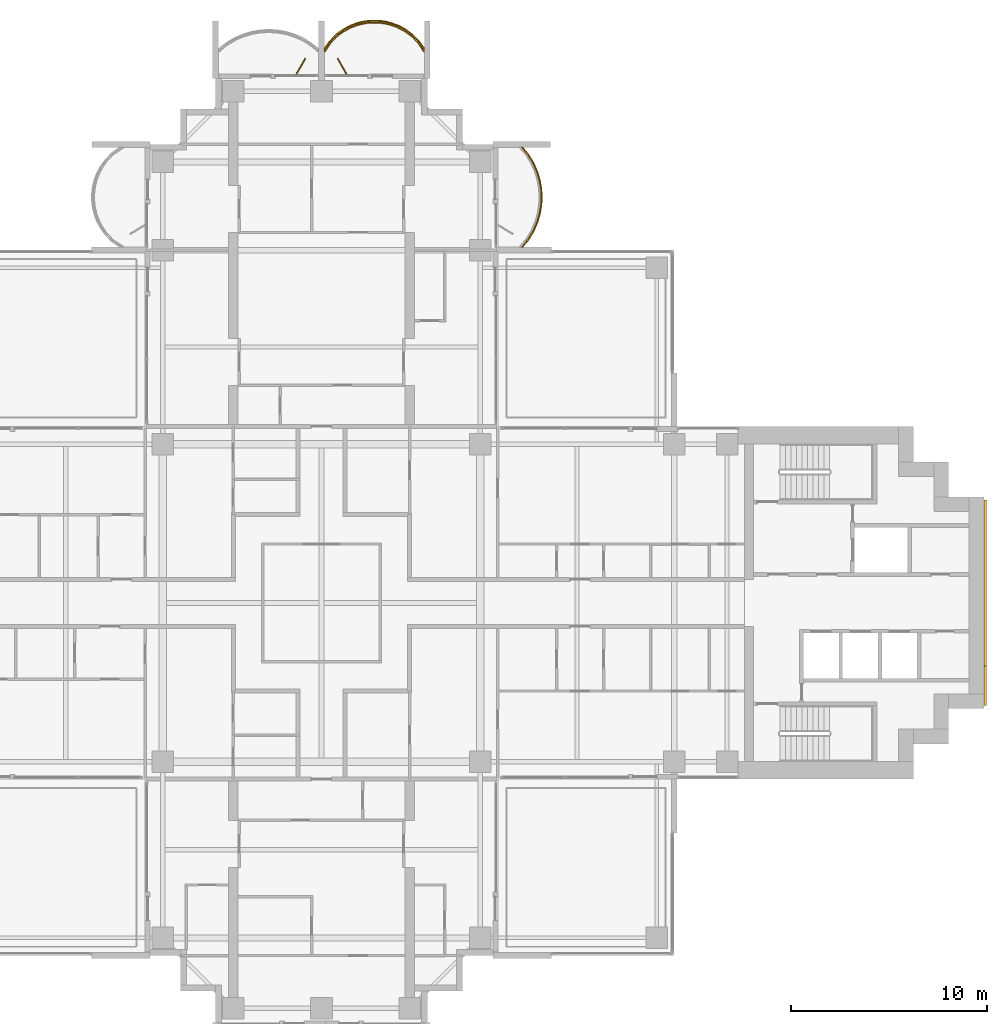
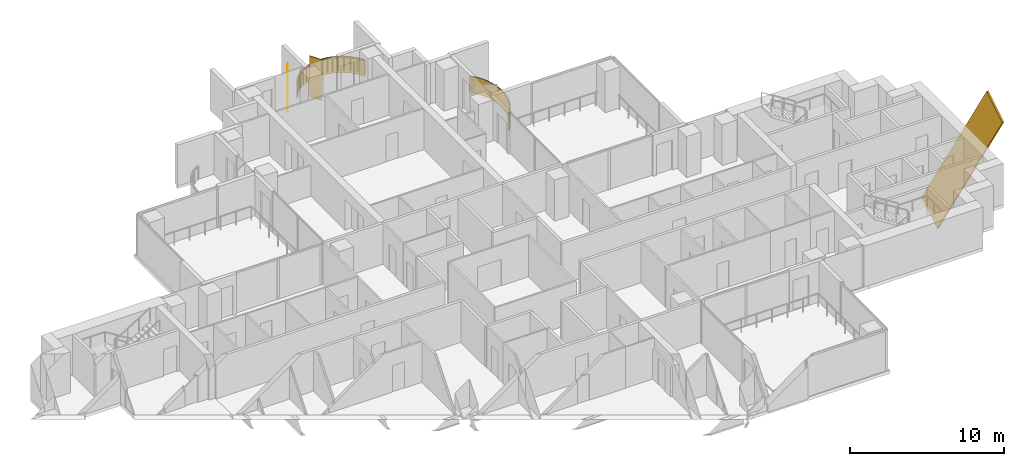
# One storey, part 18 of 18: 3 coverings, 2 shading devices, 1 railing.
"""IFC4 building model written with IfcOpenShell, lengths in metres."""

from ifc_helpers import new_model, si_unit, direction, frame, origin, origin_2d, place, context, subcontext, project, spatial, polyline, rectangle, outline, extrude, material, layer, layer_set, material_profile, profile_set, type_object, element, save


model = new_model("IFC4")

# Units and contexts
model_context = context("Model", 3, precision=1e-05, world=origin(), true_north=direction((0.0, 1.0)))
body_context = subcontext(model_context, "Body", "Model", "MODEL_VIEW")
ifc_project = project(units=[si_unit("LENGTHUNIT", "METRE"), si_unit("AREAUNIT", "SQUARE_METRE"), si_unit("VOLUMEUNIT", "CUBIC_METRE"), si_unit("PLANEANGLEUNIT", "RADIAN"), si_unit("MASSUNIT", "GRAM", prefix="KILO")], contexts=[model_context])

# Site, building, storey
site_placement = place(None, origin())
site = spatial("IfcSite", under=ifc_project, at=site_placement, CompositionType="ELEMENT")
building_placement = place(site_placement, origin())
building = spatial("IfcBuilding", under=site, at=building_placement, Name="Perihelion Cross Residences", CompositionType="ELEMENT")
storey_placement = place(building_placement, frame((0.0, 0.0, 133.89990234375)))
storey = spatial("IfcBuildingStorey", under=building, at=storey_placement, Name="L32", CompositionType="ELEMENT", Elevation=133.89990234375)

# Coverings
ifc_material_1 = material(Name="Bronze anodised aluminium", Category="aluminium")
ifc_layer_1 = layer(ifc_material_1, 0.070068359375)
ifc_layer_set_1 = layer_set([ifc_layer_1], Name="Balcony fascia 1300")
covering_type_1 = type_object("IfcCoveringType", Name="Balcony fascia 1300", PredefinedType="CLADDING", material=ifc_layer_set_1)
covering_1_placement = place(storey_placement, frame((0.0, 0.0, -0.199951171875)))
element("IfcCovering", 1, at=covering_1_placement, inside=storey, type_object=covering_type_1, Name="Fascia BF1 L32 north side east bay 2", PredefinedType="CLADDING", context=body_context, shape_type="SweptSolid", body=[
    extrude(outline(polyline([(10.59765625, 18.53515625), (10.85498046875, 18.96826171875), (11.04248046875, 19.401123046875), (11.170654296875, 19.833984375), (11.245361328125, 20.26708984375), (11.27001953125, 20.699951171875), (11.245361328125, 21.133056640625), (11.170654296875, 21.56591796875), (11.04248046875, 21.998779296875), (10.85498046875, 22.431884765625), (10.59765625, 22.86474609375), (10.28955078125, 23.25), (10.199951171875, 23.25), (10.5400390625, 22.824951171875), (10.792724609375, 22.39990234375), (10.9765625, 21.97509765625), (11.1025390625, 21.550048828125), (11.17578125, 21.125), (11.199951171875, 20.699951171875), (11.17578125, 20.27490234375), (11.1025390625, 19.85009765625), (10.9765625, 19.425048828125), (10.792724609375, 19.0), (10.5400390625, 18.574951171875), (10.199951171875, 18.14990234375), (10.28955078125, 18.14990234375), (10.59765625, 18.53515625)])), origin(), (0.0, 0.0, 1.0), 1.300048828125),
])
covering_2_placement = place(storey_placement, frame((0.0, 0.0, -0.199951171875)))
element("IfcCovering", 2, at=covering_2_placement, inside=storey, type_object=covering_type_1, Name="Fascia BF1 L32 north tip north bay 1", PredefinedType="CLADDING", context=body_context, shape_type="SweptSolid", body=[
    extrude(outline(polyline([(4.963134765625, 28.722412109375), (4.61474609375, 29.060791015625), (4.2666015625, 29.308837890625), (3.91845703125, 29.4912109375), (3.5703125, 29.620361328125), (3.22216796875, 29.703369140625), (2.8740234375, 29.743896484375), (2.52587890625, 29.743896484375), (2.177734375, 29.703369140625), (1.82958984375, 29.620361328125), (1.4814453125, 29.4912109375), (1.13330078125, 29.308837890625), (0.78515625, 29.060791015625), (0.43701171875, 28.722412109375), (0.14990234375, 28.320556640625), (0.14990234375, 28.199951171875), (0.489990234375, 28.6767578125), (0.830078125, 29.007080078125), (1.169921875, 29.2490234375), (1.510009765625, 29.42724609375), (1.85009765625, 29.553466796875), (2.18994140625, 29.63427734375), (2.530029296875, 29.674072265625), (2.8701171875, 29.674072265625), (3.2099609375, 29.63427734375), (3.550048828125, 29.553466796875), (3.889892578125, 29.42724609375), (4.22998046875, 29.2490234375), (4.570068359375, 29.007080078125), (4.909912109375, 28.6767578125), (5.25, 28.199951171875), (5.25, 28.320556640625), (4.963134765625, 28.722412109375)])), origin(), (0.0, 0.0, 1.0), 1.300048828125),
])

# Railing
ifc_material_2 = material(Name="Bronze anodised aluminium", Category="aluminium")
railing_type = type_object("IfcRailingType", Name="Balcony guard 1100", PredefinedType="GUARDRAIL", material=ifc_material_2)
railing_placement = place(storey_placement, frame((5.22509765625, 28.139892578125, 0.0)))
element("IfcRailing", 3, at=railing_placement, inside=storey, type_object=railing_type, Name="Guard GU1 L32 north tip north bay 1 balcony", PredefinedType="GUARDRAIL", context=body_context, shape_type="SweptSolid", body=[
    extrude(rectangle(XDim=0.048095703125, YDim=0.048095703125, at=origin_2d()), frame((0.0, 0.0, 1.076171875), z_axis=(-0.55144309028, 0.834212513801, 0.0), x_axis=(-0.834212513801, -0.55144309028, 0.0)), (0.0, 0.0, 1.0), 0.571533203125),
    extrude(rectangle(XDim=0.048095703125, YDim=0.048095703125, at=origin_2d()), frame((-0.315185546875, 0.476806640625, 1.076171875), z_axis=(-0.717080736691, 0.696990112603, 0.0), x_axis=(-0.696990112603, -0.717080736691, 0.0)), (0.0, 0.0, 1.0), 0.473876953125),
    extrude(rectangle(XDim=0.048095703125, YDim=0.048095703125, at=origin_2d()), frame((-0.655029296875, 0.80712890625, 1.076171875), z_axis=(-0.814562360662, 0.580075995532, 0.0), x_axis=(-0.580075995532, -0.814562360662, 0.0)), (0.0, 0.0, 1.0), 0.41748046875),
    extrude(rectangle(XDim=0.048095703125, YDim=0.048095703125, at=origin_2d()), frame((-0.9951171875, 1.04931640625, 1.076171875), z_axis=(-0.886005761733, 0.463674228502, 0.0), x_axis=(-0.463674228502, -0.886005761733, 0.0)), (0.0, 0.0, 1.0), 0.3837890625),
    extrude(rectangle(XDim=0.048095703125, YDim=0.048095703125, at=origin_2d()), frame((-1.335205078125, 1.227294921875, 1.076171875), z_axis=(-0.937431552165, 0.348169621027, 0.0), x_axis=(-0.348169621027, -0.937431552165, 0.0)), (0.0, 0.0, 1.0), 0.362548828125),
    extrude(rectangle(XDim=0.048095703125, YDim=0.048095703125, at=origin_2d()), frame((-1.675048828125, 1.353515625, 1.076171875), z_axis=(-0.972753741142, 0.231840805498, 0.0), x_axis=(-0.231840805498, -0.972753741142, 0.0)), (0.0, 0.0, 1.0), 0.349609375),
    extrude(rectangle(XDim=0.048095703125, YDim=0.048095703125, at=origin_2d()), frame((-2.01513671875, 1.4345703125, 1.076171875), z_axis=(-0.993295952156, 0.11559909788, 0.0), x_axis=(-0.11559909788, -0.993295952156, 0.0)), (0.0, 0.0, 1.0), 0.342041015625),
    extrude(rectangle(XDim=0.048095703125, YDim=0.048095703125, at=origin_2d()), frame((-2.35498046875, 1.47412109375, 1.076171875), z_axis=(-1.0, 0.0, 0.0), x_axis=(0.0, -1.0, 0.0)), (0.0, 0.0, 1.0), 0.340087890625),
    extrude(rectangle(XDim=0.048095703125, YDim=0.048095703125, at=origin_2d()), frame((-2.695068359375, 1.47412109375, 1.076171875), z_axis=(-0.993305477634, -0.11551721994, 0.0), x_axis=(0.11551721994, -0.993305477634, 0.0)), (0.0, 0.0, 1.0), 0.34228515625),
    extrude(rectangle(XDim=0.048095703125, YDim=0.048095703125, at=origin_2d()), frame((-3.03515625, 1.4345703125, 1.076171875), z_axis=(-0.972716168284, -0.231998396458, 0.0), x_axis=(0.231998396458, -0.972716168284, 0.0)), (0.0, 0.0, 1.0), 0.349365234375),
    extrude(rectangle(XDim=0.048095703125, YDim=0.048095703125, at=origin_2d()), frame((-3.375, 1.353515625, 1.076171875), z_axis=(-0.93751311099, -0.347949948587, 0.0), x_axis=(0.347949948587, -0.93751311099, 0.0)), (0.0, 0.0, 1.0), 0.36279296875),
    extrude(rectangle(XDim=0.048095703125, YDim=0.048095703125, at=origin_2d()), frame((-3.715087890625, 1.227294921875, 1.076171875), z_axis=(-0.886005761733, -0.463674228502, 0.0), x_axis=(0.463674228502, -0.886005761733, 0.0)), (0.0, 0.0, 1.0), 0.3837890625),
    extrude(rectangle(XDim=0.048095703125, YDim=0.048095703125, at=origin_2d()), frame((-4.05517578125, 1.04931640625, 1.076171875), z_axis=(-0.814365457194, -0.580352394782, 0.0), x_axis=(0.580352394782, -0.814365457194, 0.0)), (0.0, 0.0, 1.0), 0.417236328125),
    extrude(rectangle(XDim=0.048095703125, YDim=0.048095703125, at=origin_2d()), frame((-4.39501953125, 0.80712890625, 1.076171875), z_axis=(-0.717330852669, -0.69673269466, 0.0), x_axis=(0.69673269466, -0.717330852669, 0.0)), (0.0, 0.0, 1.0), 0.47412109375),
    extrude(rectangle(XDim=0.048095703125, YDim=0.048095703125, at=origin_2d()), frame((-4.735107421875, 0.476806640625, 1.076171875), z_axis=(-0.551145731138, -0.834409002258, 0.0), x_axis=(0.834409002258, -0.551145731138, 0.0)), (0.0, 0.0, 1.0), 0.571533203125),
    extrude(rectangle(XDim=0.0419921875, YDim=0.0419921875, at=origin_2d()), origin(), (0.0, 0.0, 1.0), 1.052001953125),
    extrude(rectangle(XDim=0.0419921875, YDim=0.0419921875, at=origin_2d()), frame((-0.315185546875, 0.476806640625, 0.0)), (0.0, 0.0, 1.0), 1.052001953125),
    extrude(rectangle(XDim=0.0419921875, YDim=0.0419921875, at=origin_2d()), frame((-0.655029296875, 0.80712890625, 0.0)), (0.0, 0.0, 1.0), 1.052001953125),
    extrude(rectangle(XDim=0.0419921875, YDim=0.0419921875, at=origin_2d()), frame((-0.9951171875, 1.04931640625, 0.0)), (0.0, 0.0, 1.0), 1.052001953125),
    extrude(rectangle(XDim=0.0419921875, YDim=0.0419921875, at=origin_2d()), frame((-1.335205078125, 1.227294921875, 0.0)), (0.0, 0.0, 1.0), 1.052001953125),
    extrude(rectangle(XDim=0.0419921875, YDim=0.0419921875, at=origin_2d()), frame((-1.675048828125, 1.353515625, 0.0)), (0.0, 0.0, 1.0), 1.052001953125),
    extrude(rectangle(XDim=0.0419921875, YDim=0.0419921875, at=origin_2d()), frame((-2.01513671875, 1.4345703125, 0.0)), (0.0, 0.0, 1.0), 1.052001953125),
    extrude(rectangle(XDim=0.0419921875, YDim=0.0419921875, at=origin_2d()), frame((-2.35498046875, 1.47412109375, 0.0)), (0.0, 0.0, 1.0), 1.052001953125),
    extrude(rectangle(XDim=0.0419921875, YDim=0.0419921875, at=origin_2d()), frame((-2.695068359375, 1.47412109375, 0.0)), (0.0, 0.0, 1.0), 1.052001953125),
    extrude(rectangle(XDim=0.0419921875, YDim=0.0419921875, at=origin_2d()), frame((-3.03515625, 1.4345703125, 0.0)), (0.0, 0.0, 1.0), 1.052001953125),
    extrude(rectangle(XDim=0.0419921875, YDim=0.0419921875, at=origin_2d()), frame((-3.375, 1.353515625, 0.0)), (0.0, 0.0, 1.0), 1.052001953125),
    extrude(rectangle(XDim=0.0419921875, YDim=0.0419921875, at=origin_2d()), frame((-3.715087890625, 1.227294921875, 0.0)), (0.0, 0.0, 1.0), 1.052001953125),
    extrude(rectangle(XDim=0.0419921875, YDim=0.0419921875, at=origin_2d()), frame((-4.05517578125, 1.04931640625, 0.0)), (0.0, 0.0, 1.0), 1.052001953125),
    extrude(rectangle(XDim=0.0419921875, YDim=0.0419921875, at=origin_2d()), frame((-4.39501953125, 0.80712890625, 0.0)), (0.0, 0.0, 1.0), 1.052001953125),
    extrude(rectangle(XDim=0.0419921875, YDim=0.0419921875, at=origin_2d()), frame((-4.735107421875, 0.476806640625, 0.0)), (0.0, 0.0, 1.0), 1.052001953125),
    extrude(rectangle(XDim=0.0419921875, YDim=0.0419921875, at=origin_2d()), frame((-5.050048828125, 0.0, 0.0)), (0.0, 0.0, 1.0), 1.052001953125),
])

# Covering
ifc_material_3 = material(Name="Bronze anodised aluminium", Category="aluminium")
ifc_material_profile = material_profile(ifc_material_3, rectangle(XDim=0.125, YDim=2.39990234375, at=origin_2d()), Name="Bronze cladding band 2400")
ifc_profile_set = profile_set([ifc_material_profile], Name="Bronze anodised aluminium")
covering_type_2 = type_object("IfcCoveringType", Name="Bronze cladding band 2400", PredefinedType="CLADDING", material=ifc_profile_set)
covering_3_placement = place(storey_placement, frame((33.862548828125, 4.232421875, -6.509765625), z_axis=(0.0, -0.529924750763, 0.848044667767), x_axis=(1.0, 0.0, 0.0)))
element("IfcCovering", 4, at=covering_3_placement, inside=storey, type_object=covering_type_2, Name="Core cladding band, east core", PredefinedType="CLADDING", context=body_context, shape_type="SweptSolid", body=[
    extrude(rectangle(XDim=0.125, YDim=2.39990234375, at=origin_2d()), origin(), (0.0, 0.0, 1.0), 15.9736328125),
])

# Shading devices
ifc_material_4 = material(Name="Bronze anodised aluminium", Category="aluminium")
ifc_layer_2 = layer(ifc_material_4, 0.050048828125)
ifc_layer_set_2 = layer_set([ifc_layer_2], Name="Bronze fin 900")
shading_device_type = type_object("IfcShadingDeviceType", Name="Bronze fin 900", PredefinedType="USERDEFINED", material=ifc_layer_set_2)
for number, where, z_axis, x_axis, name in (
    (5, (1.050048828125, 27.3896484375, 0.0), (0.0, 0.0, 1.0), (-0.5, 0.866025403784, 0.0), "Fin FN1 L32 north tip north bay 1"),
    (6, (-1.050048828125, 27.3896484375, 0.0), (0.0, 0.0, 1.0), (0.5, 0.866025403784, 0.0), "Fin FN1 L32 north tip north bay 2"),
):
    element("IfcShadingDevice", number, at=place(storey_placement, frame(where, z_axis=z_axis, x_axis=x_axis)), inside=storey, type_object=shading_device_type, Name=name, ObjectType="FIN", PredefinedType="USERDEFINED", context=body_context, shape_type="SweptSolid", body=[
        extrude(rectangle(XDim=0.89990234375, YDim=0.050048828125, at=origin_2d()), origin(), (0.0, 0.0, 1.0), 3.25),
    ])

save(model, "model.ifc")
